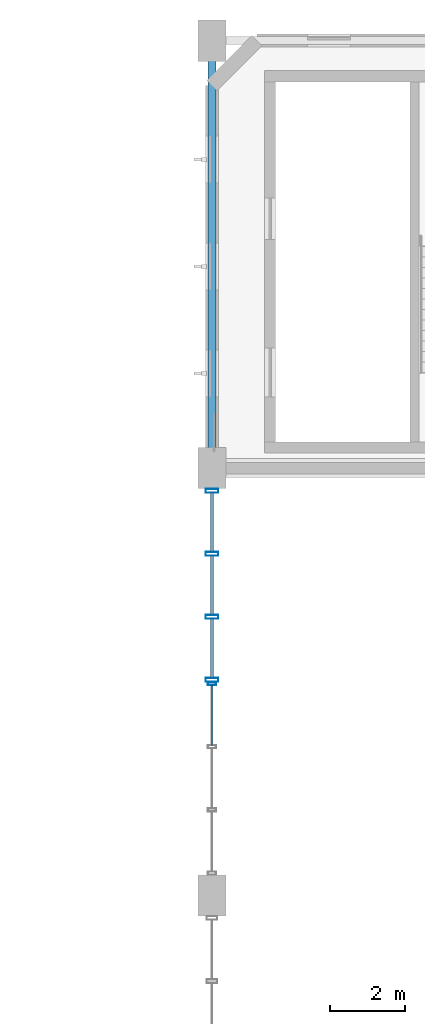
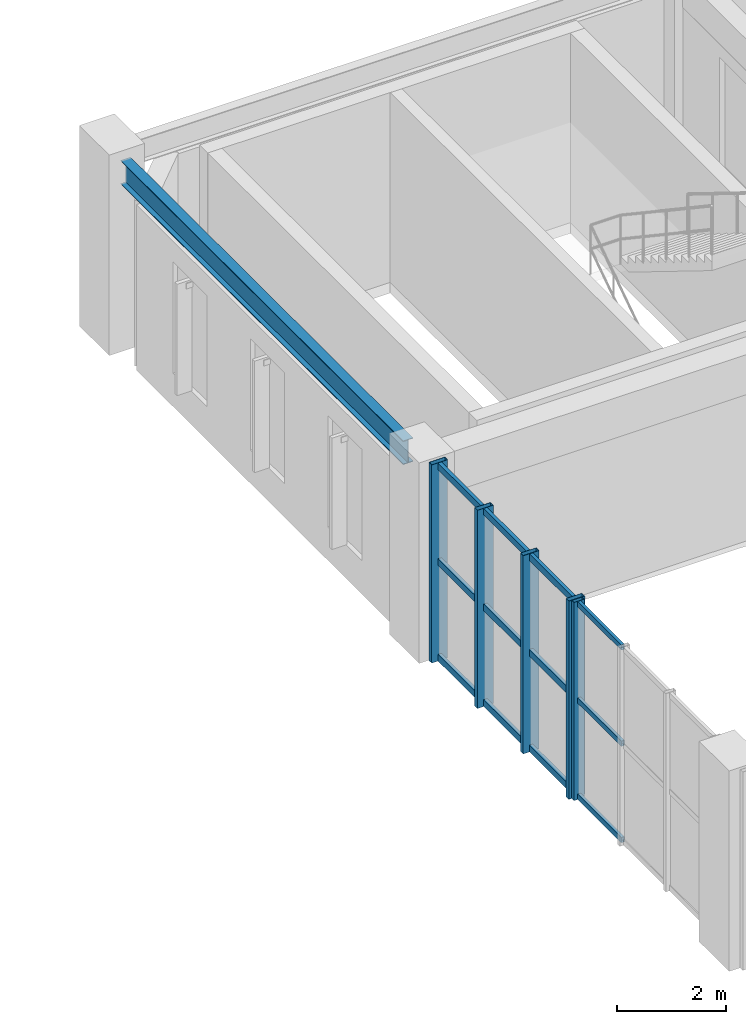
# One storey, part 39 of 80: 17 members, 1 beam, 2 elements without a shape of their own.
"""IFC4 building model written with IfcOpenShell, lengths in metres."""

import ifcopenshell
import ifcopenshell.guid

model = None  # the IFC model being written
_history = None  # IfcOwnerHistory: only IFC2X3 demands one
_inside = {}  # id of a spatial element -> (the spatial element, [elements in it])
_under = {}  # id of a project, library or spatial element -> (it, [spatial elements below it])
_declared = {}  # id of a project -> (the project, [libraries it declares])
_typed = {}  # id of a type object -> (the type object, [elements of that type])
_made_of = {}  # id of a material, layer set ... -> (it, [elements and type objects made of it])


def new_model(schema):
    """Start an empty IFC model of exactly this schema.

    Asked for "IFC4X3", IfcOpenShell would pick the latest addendum, in which some entities
    have other attributes; the version numbers below select the first issue.
    IFC2X3 requires an IfcOwnerHistory on every rooted entity: one is made here for all.
    """
    global model, _history
    if schema == "IFC4X3":
        model = ifcopenshell.file(schema_version=(4, 3, 0, 0))
    else:
        model = ifcopenshell.file(schema=schema)
    _inside.clear()
    _under.clear()
    _declared.clear()
    _typed.clear()
    _made_of.clear()
    _history = None
    if model.schema == "IFC2X3":
        org = make("IfcOrganization", Name="unknown")
        user = make(
            "IfcPersonAndOrganization",
            ThePerson=make("IfcPerson", FamilyName="unknown"),
            TheOrganization=org,
        )
        app = make(
            "IfcApplication",
            ApplicationDeveloper=org,
            Version="unknown",
            ApplicationFullName="unknown",
            ApplicationIdentifier="unknown",
        )
        _history = make(
            "IfcOwnerHistory",
            OwningUser=user,
            OwningApplication=app,
            ChangeAction="ADDED",
            CreationDate=0,
        )
    return model


def make(cls, **values):
    """One entity of the class cls with the attributes given. An attribute that is None is left unset."""
    return model.create_entity(
        cls, **{name: value for name, value in values.items() if value is not None}
    )


def rooted(cls, **values):
    """An entity with a GlobalId (a new one), such as an element, a storey or a relation."""
    return make(cls, GlobalId=ifcopenshell.guid.new(), OwnerHistory=_history, **values)


def si_unit(unit_type, name, prefix=None):
    """IfcSIUnit, for example si_unit("LENGTHUNIT", "METRE", prefix="MILLI")."""
    return make("IfcSIUnit", UnitType=unit_type, Prefix=prefix, Name=name)


def assignment(units):
    """IfcUnitAssignment: the units of a project."""
    return None if units is None else make("IfcUnitAssignment", Units=units)


def point(xyz):
    """IfcCartesianPoint."""
    return None if xyz is None else make("IfcCartesianPoint", Coordinates=xyz)


def direction(xyz):
    """IfcDirection."""
    return None if xyz is None else make("IfcDirection", DirectionRatios=xyz)


def frame(location, z_axis=None, x_axis=None):
    """IfcAxis2Placement3D, a coordinate frame: its origin and axes. An axis left out is left unset."""
    return make(
        "IfcAxis2Placement3D",
        Location=point(location),
        Axis=direction(z_axis),
        RefDirection=direction(x_axis),
    )


def frame_2d(location, x_axis=None):
    """IfcAxis2Placement2D, a coordinate frame in the plane: its origin and x axis."""
    return make(
        "IfcAxis2Placement2D", Location=point(location), RefDirection=direction(x_axis)
    )


def origin():
    """The frame at (0, 0, 0) with its axes left unset."""
    return frame((0.0, 0.0, 0.0))


def origin_2d():
    """The frame at (0, 0) in the plane with its x axis left unset."""
    return frame_2d((0.0, 0.0))


def place(relative_to, where):
    """IfcLocalPlacement: puts the frame where relative to a parent placement (None: the world)."""
    return make(
        "IfcLocalPlacement", PlacementRelTo=relative_to, RelativePlacement=where
    )


def context(
    kind, dimensions, precision=None, world=None, true_north=None, identifier=None
):
    """IfcGeometricRepresentationContext, for example the 3D "Model" context."""
    return make(
        "IfcGeometricRepresentationContext",
        ContextIdentifier=identifier,
        ContextType=kind,
        CoordinateSpaceDimension=dimensions,
        Precision=precision,
        WorldCoordinateSystem=world,
        TrueNorth=true_north,
    )


def subcontext(parent, identifier, kind, view, scale=None):
    """IfcGeometricRepresentationSubContext, for example "Body" below "Model"."""
    return make(
        "IfcGeometricRepresentationSubContext",
        ContextIdentifier=identifier,
        ContextType=kind,
        ParentContext=parent,
        TargetScale=scale,
        TargetView=view,
    )


def project(units=None, contexts=None):
    """IfcProject with its units and contexts."""
    return rooted(
        "IfcProject",
        Name="project",
        RepresentationContexts=contexts,
        UnitsInContext=assignment(units),
    )


def spatial(cls, under=None, at=None, **own):
    """A site, building, storey or space (cls), placed at a placement, below another one or the project."""
    s = rooted(cls, ObjectPlacement=at, **own)
    if under is not None:
        _under.setdefault(under.id(), (under, []))[1].append(s)
    return s


def profile(cls, at=None, kind="AREA", **sizes):
    """A parametric profile (cls). Its sizes go by their IFC names, for example OverallWidth=200.0."""
    return make(cls, ProfileType=kind, Position=at, **sizes)


def hollow_rectangle(**sizes):
    """IfcRectangleHollowProfileDef."""
    return profile("IfcRectangleHollowProfileDef", **sizes)


def i_section(**sizes):
    """IfcIShapeProfileDef."""
    return profile("IfcIShapeProfileDef", **sizes)


def extrude(swept, where, along, depth):
    """IfcExtrudedAreaSolid: the profile swept, set in the frame where, extruded along a direction by depth."""
    return make(
        "IfcExtrudedAreaSolid",
        SweptArea=swept,
        Position=where,
        ExtrudedDirection=direction(along),
        Depth=depth,
    )


def shape(context_of_items, identifier, shape_type, items):
    """IfcShapeRepresentation: the items that make up one representation, for example the "Body"."""
    return make(
        "IfcShapeRepresentation",
        ContextOfItems=context_of_items,
        RepresentationIdentifier=identifier,
        RepresentationType=shape_type,
        Items=items,
    )


def material(Name=None, Category=None):
    """IfcMaterial."""
    return make("IfcMaterial", Name=Name, Category=Category)


def layer(
    of_material, thickness, ventilated=None, Name=None, Category=None, Priority=None
):
    """IfcMaterialLayer: one layer of a wall or slab, of a material (None: an air gap)."""
    return make(
        "IfcMaterialLayer",
        Material=of_material,
        LayerThickness=thickness,
        IsVentilated=ventilated,
        Name=Name,
        Category=Category,
        Priority=Priority,
    )


def layer_set(layers, Name=None):
    """IfcMaterialLayerSet."""
    return make("IfcMaterialLayerSet", MaterialLayers=layers, LayerSetName=Name)


def material_profile(
    of_material, cross_section, Name=None, Category=None, Priority=None
):
    """IfcMaterialProfile: a cross section and its material."""
    return make(
        "IfcMaterialProfile",
        Name=Name,
        Material=of_material,
        Profile=cross_section,
        Priority=Priority,
        Category=Category,
    )


def profile_set(profiles, Name=None, composite=None):
    """IfcMaterialProfileSet."""
    return make(
        "IfcMaterialProfileSet",
        Name=Name,
        MaterialProfiles=profiles,
        CompositeProfile=composite,
    )


def made_of(thing, what):
    """Note that an element or type object is made of a material, layer set ...; save() writes the relation."""
    if what is not None:
        _made_of.setdefault(what.id(), (what, []))[1].append(thing)
    return thing


def type_object(cls, material=None, **own):
    """A type object (cls), such as IfcWallType, which elements share."""
    return made_of(rooted(cls, **own), material)


def element(
    cls,
    number,
    at=None,
    inside=None,
    cuts=None,
    type_object=None,
    material=None,
    context=None,
    identifier="Body",
    shape_type=None,
    held_by="IfcProductDefinitionShape",
    body=None,
    shapes=None,
    **own,
):
    """One element of the class cls, such as IfcWall. Its Tag is "e" and its number.

    at: its placement. inside: the storey or other place that contains it. cuts: it is an
    opening in that element (IfcRelVoidsElement). A single representation is given by context,
    identifier, shape_type and body (its items); several are given by shapes. held_by: the class
    of the entity that holds the representations. save() writes the other relations.
    """
    e = rooted(cls, Tag="e%d" % number, ObjectPlacement=at, **own)
    if body is not None:
        shapes = [shape(context, identifier, shape_type, body)]
    if shapes is not None:
        e.Representation = make(held_by, Representations=shapes)
    if inside is not None:
        _inside.setdefault(inside.id(), (inside, []))[1].append(e)
    if cuts is not None:
        rooted(
            "IfcRelVoidsElement", RelatingBuildingElement=cuts, RelatedOpeningElement=e
        )
    if type_object is not None:
        _typed.setdefault(type_object.id(), (type_object, []))[1].append(e)
    return made_of(e, material)


def aggregate(whole, parts):
    """IfcRelAggregates: a whole, such as a stair, and the parts it consists of."""
    return rooted("IfcRelAggregates", RelatingObject=whole, RelatedObjects=parts)


def save(model, path):
    """Write the relations noted so far, then the file.

    IfcRelAggregates (storeys below a building ...), IfcRelContainedInSpatialStructure (elements
    in a storey), IfcRelDefinesByType, IfcRelAssociatesMaterial and IfcRelDeclares: one each for
    every whole, place, type object, material and project.
    """
    for whole, parts in _under.values():
        aggregate(whole, parts)
    for where, things in _inside.values():
        rooted(
            "IfcRelContainedInSpatialStructure",
            RelatedElements=things,
            RelatingStructure=where,
        )
    for kind, things in _typed.values():
        rooted("IfcRelDefinesByType", RelatedObjects=things, RelatingType=kind)
    for what, things in _made_of.values():
        rooted("IfcRelAssociatesMaterial", RelatedObjects=things, RelatingMaterial=what)
    for by, libraries in _declared.values():
        rooted("IfcRelDeclares", RelatingContext=by, RelatedDefinitions=libraries)
    model.write(path)


model = new_model("IFC4")

# Units and contexts
model_context = context("Model", 3, precision=1e-05, world=origin(), true_north=direction((0.0, 1.0)))
body_context = subcontext(model_context, "Body", "Model", "MODEL_VIEW")
ifc_project = project(units=[si_unit("LENGTHUNIT", "METRE"), si_unit("AREAUNIT", "SQUARE_METRE"), si_unit("VOLUMEUNIT", "CUBIC_METRE"), si_unit("PLANEANGLEUNIT", "RADIAN"), si_unit("MASSUNIT", "GRAM", prefix="KILO"), si_unit("POWERUNIT", "WATT"), si_unit("THERMODYNAMICTEMPERATUREUNIT", "KELVIN")], contexts=[model_context])

# Site, building, storey
site_placement = place(None, origin())
site = spatial("IfcSite", under=ifc_project, at=site_placement, CompositionType="ELEMENT")
building_placement = place(site_placement, origin())
building = spatial("IfcBuilding", under=site, at=building_placement, Name="Kelmbourne Parkland Aquatics Centre", CompositionType="ELEMENT")
storey_placement = place(building_placement, frame((0.0, 0.0, 10.199951171875)))
storey = spatial("IfcBuildingStorey", under=building, at=storey_placement, Name="L02", CompositionType="ELEMENT", Elevation=10.199951171875)

# Beam
ifc_material_1 = material(Name="Structural steel AS/NZS 3679.1 Grade 300", Category="steel")
ifc_material_profile_1 = material_profile(ifc_material_1, i_section(OverallWidth=0.208984375, OverallDepth=0.532958984375, WebThickness=0.01025390625, FlangeThickness=0.015625, at=origin_2d()), Name="530UB92.4")
ifc_profile_set_1 = profile_set([ifc_material_profile_1], Name="Structural steel AS/NZS 3679.1 Grade 300")
beam_type = type_object("IfcBeamType", Name="BM-SP02", PredefinedType="SPANDREL", material=ifc_profile_set_1)
beam_placement = place(storey_placement, frame((128.0, 103.905029296875, 3.99365234375), z_axis=(0.0, 1.0, 0.0), x_axis=(-1.0, 0.0, 0.0)))
element("IfcBeam", 1, at=beam_placement, inside=storey, type_object=beam_type, Name="Perimeter spandrel 13-14 Grid P (L03)", PredefinedType="SPANDREL", context=body_context, shape_type="SweptSolid", body=[
    extrude(i_section(OverallWidth=0.208984375, OverallDepth=0.532958984375, WebThickness=0.01025390625, FlangeThickness=0.015625, at=origin_2d()), origin(), (0.0, 0.0, 1.0), 10.389892578125),
])

# Curtain wall, member
ifc_material_2 = material(Name="Thermally broken anodised aluminium framing", Category="aluminium")
ifc_layer_1 = layer(ifc_material_2, 0.179931640625)
ifc_layer_set_1 = layer_set([ifc_layer_1], Name="Thermally broken anodised aluminium framing")
curtain_wall_type_1 = type_object("IfcCurtainWallType", Name="CW-15", PredefinedType="NOTDEFINED", material=ifc_layer_set_1)
curtain_wall_1_placement = place(storey_placement, origin())
curtain_wall_1 = element("IfcCurtainWall", 2, at=curtain_wall_1_placement, inside=storey, type_object=curtain_wall_type_1, Name="Wave-hall clerestory curtain wall CW-L02-087", PredefinedType="NOTDEFINED")
ifc_material_profile_2 = material_profile(ifc_material_2, hollow_rectangle(XDim=0.0849609375, YDim=0.219970703125, WallThickness=0.0048828125, at=origin_2d()), Name="CW-M 85x220")
ifc_profile_set_2 = profile_set([ifc_material_profile_2], Name="Thermally broken anodised aluminium framing")
member_type_1 = type_object("IfcMemberType", Name="MB-MUL-3", PredefinedType="MULLION", material=ifc_profile_set_2)
member_1_placement = place(storey_placement, frame((128.0, 97.657470703125, 0.0), z_axis=(0.0, 0.0, 1.0), x_axis=(0.0, 1.0, 0.0)))
member_1 = element("IfcMember", 3, at=member_1_placement, type_object=member_type_1, Name="CW-L02-087 mullion 3", PredefinedType="MULLION", context=body_context, shape_type="SweptSolid", body=[
    extrude(hollow_rectangle(XDim=0.0849609375, YDim=0.219970703125, WallThickness=0.0048828125, at=origin_2d()), origin(), (0.0, 0.0, 1.0), 4.449951171875),
])

# Curtain wall, members
ifc_layer_2 = layer(ifc_material_2, 0.179931640625)
ifc_layer_set_2 = layer_set([ifc_layer_2], Name="Thermally broken anodised aluminium framing")
curtain_wall_type_2 = type_object("IfcCurtainWallType", Name="CW-22", PredefinedType="NOTDEFINED", material=ifc_layer_set_2)
curtain_wall_2_placement = place(storey_placement, origin())
curtain_wall_2 = element("IfcCurtainWall", 4, at=curtain_wall_2_placement, inside=storey, type_object=curtain_wall_type_2, Name="Wave-hall clerestory curtain wall CW-L02-094", PredefinedType="NOTDEFINED")
ifc_material_profile_3 = material_profile(ifc_material_2, hollow_rectangle(XDim=0.10498046875, YDim=0.340087890625, WallThickness=0.006103515625, at=origin_2d()), Name="CW-M 105x340")
ifc_profile_set_3 = profile_set([ifc_material_profile_3], Name="Thermally broken anodised aluminium framing")
member_type_2 = type_object("IfcMemberType", Name="MB-MUL-5", PredefinedType="MULLION", material=ifc_profile_set_3)
member_2_placement = place(storey_placement, frame((128.0, 97.75244140625, 0.0), z_axis=(0.0, 0.0, 1.0), x_axis=(0.0, 1.0, 0.0)))
member_2 = element("IfcMember", 5, at=member_2_placement, type_object=member_type_2, Name="CW-L02-094 mullion 0", PredefinedType="MULLION", context=body_context, shape_type="SweptSolid", body=[
    extrude(hollow_rectangle(XDim=0.10498046875, YDim=0.340087890625, WallThickness=0.006103515625, at=origin_2d()), origin(), (0.0, 0.0, 1.0), 4.449951171875),
])
member_3_placement = place(storey_placement, frame((128.0, 99.43359375, 0.0), z_axis=(0.0, 0.0, 1.0), x_axis=(0.0, 1.0, 0.0)))
member_3 = element("IfcMember", 6, at=member_3_placement, type_object=member_type_2, Name="CW-L02-094 mullion 1", PredefinedType="MULLION", context=body_context, shape_type="SweptSolid", body=[
    extrude(hollow_rectangle(XDim=0.10498046875, YDim=0.340087890625, WallThickness=0.006103515625, at=origin_2d()), origin(), (0.0, 0.0, 1.0), 4.449951171875),
])
member_4_placement = place(storey_placement, frame((128.0, 101.114501953125, 0.0), z_axis=(0.0, 0.0, 1.0), x_axis=(0.0, 1.0, 0.0)))
member_4 = element("IfcMember", 7, at=member_4_placement, type_object=member_type_2, Name="CW-L02-094 mullion 2", PredefinedType="MULLION", context=body_context, shape_type="SweptSolid", body=[
    extrude(hollow_rectangle(XDim=0.10498046875, YDim=0.340087890625, WallThickness=0.006103515625, at=origin_2d()), origin(), (0.0, 0.0, 1.0), 4.449951171875),
])
member_5_placement = place(storey_placement, frame((128.0, 102.79541015625, 0.0), z_axis=(0.0, 0.0, 1.0), x_axis=(0.0, 1.0, 0.0)))
member_5 = element("IfcMember", 8, at=member_5_placement, type_object=member_type_2, Name="CW-L02-094 mullion 3", PredefinedType="MULLION", context=body_context, shape_type="SweptSolid", body=[
    extrude(hollow_rectangle(XDim=0.10498046875, YDim=0.340087890625, WallThickness=0.006103515625, at=origin_2d()), origin(), (0.0, 0.0, 1.0), 4.449951171875),
])

# Member
ifc_material_profile_4 = material_profile(ifc_material_2, hollow_rectangle(XDim=0.06494140625, YDim=0.1201171875, WallThickness=0.00341796875, at=origin_2d()), Name="CW-T 65x120")
ifc_profile_set_4 = profile_set([ifc_material_profile_4], Name="Thermally broken anodised aluminium framing")
member_type_3 = type_object("IfcMemberType", Name="MB-TRN-1", PredefinedType="USERDEFINED", material=ifc_profile_set_4)
member_6_placement = place(storey_placement, frame((128.0, 96.00830078125, 0.06298828125), z_axis=(0.0, 1.0, 0.0), x_axis=(-1.0, 0.0, 0.0)))
member_6 = element("IfcMember", 9, at=member_6_placement, type_object=member_type_3, Name="CW-L02-087 transom 0-2", ObjectType="TRANSOM", PredefinedType="USERDEFINED", context=body_context, shape_type="SweptSolid", body=[
    extrude(hollow_rectangle(XDim=0.06494140625, YDim=0.1201171875, WallThickness=0.00341796875, at=origin_2d()), origin(), (0.0, 0.0, 1.0), 1.610595703125),
])

member_7_placement = place(storey_placement, frame((128.0, 96.00830078125, 2.22509765625), z_axis=(0.0, 1.0, 0.0), x_axis=(-1.0, 0.0, 0.0)))
member_7 = element("IfcMember", 10, at=member_7_placement, type_object=member_type_3, Name="CW-L02-087 transom 1-2", ObjectType="TRANSOM", PredefinedType="USERDEFINED", context=body_context, shape_type="SweptSolid", body=[
    extrude(hollow_rectangle(XDim=0.06494140625, YDim=0.1201171875, WallThickness=0.00341796875, at=origin_2d()), origin(), (0.0, 0.0, 1.0), 1.610595703125),
])

member_8_placement = place(storey_placement, frame((128.0, 96.00830078125, 4.386962890625), z_axis=(0.0, 1.0, 0.0), x_axis=(-1.0, 0.0, 0.0)))
member_8 = element("IfcMember", 11, at=member_8_placement, type_object=member_type_3, Name="CW-L02-087 transom 2-2", ObjectType="TRANSOM", PredefinedType="USERDEFINED", context=body_context, shape_type="SweptSolid", body=[
    extrude(hollow_rectangle(XDim=0.06494140625, YDim=0.1201171875, WallThickness=0.00341796875, at=origin_2d()), origin(), (0.0, 0.0, 1.0), 1.610595703125),
])

aggregate(curtain_wall_1, [member_1, member_6, member_7, member_8])

ifc_material_profile_5 = material_profile(ifc_material_2, hollow_rectangle(XDim=0.074951171875, YDim=0.14990234375, WallThickness=0.00390625, at=origin_2d()), Name="CW-T 75x150")
ifc_profile_set_5 = profile_set([ifc_material_profile_5], Name="Thermally broken anodised aluminium framing")
member_type_4 = type_object("IfcMemberType", Name="MB-TRN-2", PredefinedType="USERDEFINED", material=ifc_profile_set_5)
member_9_placement = place(storey_placement, frame((128.0, 97.801025390625, 0.078125), z_axis=(0.0, 1.0, 0.0), x_axis=(-1.0, 0.0, 0.0)))
member_9 = element("IfcMember", 12, at=member_9_placement, type_object=member_type_4, Name="CW-L02-094 transom 0-0", ObjectType="TRANSOM", PredefinedType="USERDEFINED", context=body_context, shape_type="SweptSolid", body=[
    extrude(hollow_rectangle(XDim=0.074951171875, YDim=0.14990234375, WallThickness=0.00390625, at=origin_2d()), origin(), (0.0, 0.0, 1.0), 1.583984375),
])

member_10_placement = place(storey_placement, frame((128.0, 99.48193359375, 0.078125), z_axis=(0.0, 1.0, 0.0), x_axis=(-1.0, 0.0, 0.0)))
member_10 = element("IfcMember", 13, at=member_10_placement, type_object=member_type_4, Name="CW-L02-094 transom 0-1", ObjectType="TRANSOM", PredefinedType="USERDEFINED", context=body_context, shape_type="SweptSolid", body=[
    extrude(hollow_rectangle(XDim=0.074951171875, YDim=0.14990234375, WallThickness=0.00390625, at=origin_2d()), origin(), (0.0, 0.0, 1.0), 1.583984375),
])

member_11_placement = place(storey_placement, frame((128.0, 101.1630859375, 0.078125), z_axis=(0.0, 1.0, 0.0), x_axis=(-1.0, 0.0, 0.0)))
member_11 = element("IfcMember", 14, at=member_11_placement, type_object=member_type_4, Name="CW-L02-094 transom 0-2", ObjectType="TRANSOM", PredefinedType="USERDEFINED", context=body_context, shape_type="SweptSolid", body=[
    extrude(hollow_rectangle(XDim=0.074951171875, YDim=0.14990234375, WallThickness=0.00390625, at=origin_2d()), origin(), (0.0, 0.0, 1.0), 1.583984375),
])

member_12_placement = place(storey_placement, frame((128.0, 97.801025390625, 2.22509765625), z_axis=(0.0, 1.0, 0.0), x_axis=(-1.0, 0.0, 0.0)))
member_12 = element("IfcMember", 15, at=member_12_placement, type_object=member_type_4, Name="CW-L02-094 transom 1-0", ObjectType="TRANSOM", PredefinedType="USERDEFINED", context=body_context, shape_type="SweptSolid", body=[
    extrude(hollow_rectangle(XDim=0.074951171875, YDim=0.14990234375, WallThickness=0.00390625, at=origin_2d()), origin(), (0.0, 0.0, 1.0), 1.583984375),
])

member_13_placement = place(storey_placement, frame((128.0, 99.48193359375, 2.22509765625), z_axis=(0.0, 1.0, 0.0), x_axis=(-1.0, 0.0, 0.0)))
member_13 = element("IfcMember", 16, at=member_13_placement, type_object=member_type_4, Name="CW-L02-094 transom 1-1", ObjectType="TRANSOM", PredefinedType="USERDEFINED", context=body_context, shape_type="SweptSolid", body=[
    extrude(hollow_rectangle(XDim=0.074951171875, YDim=0.14990234375, WallThickness=0.00390625, at=origin_2d()), origin(), (0.0, 0.0, 1.0), 1.583984375),
])

member_14_placement = place(storey_placement, frame((128.0, 101.1630859375, 2.22509765625), z_axis=(0.0, 1.0, 0.0), x_axis=(-1.0, 0.0, 0.0)))
member_14 = element("IfcMember", 17, at=member_14_placement, type_object=member_type_4, Name="CW-L02-094 transom 1-2", ObjectType="TRANSOM", PredefinedType="USERDEFINED", context=body_context, shape_type="SweptSolid", body=[
    extrude(hollow_rectangle(XDim=0.074951171875, YDim=0.14990234375, WallThickness=0.00390625, at=origin_2d()), origin(), (0.0, 0.0, 1.0), 1.583984375),
])

member_15_placement = place(storey_placement, frame((128.0, 97.801025390625, 4.3720703125), z_axis=(0.0, 1.0, 0.0), x_axis=(-1.0, 0.0, 0.0)))
member_15 = element("IfcMember", 18, at=member_15_placement, type_object=member_type_4, Name="CW-L02-094 transom 2-0", ObjectType="TRANSOM", PredefinedType="USERDEFINED", context=body_context, shape_type="SweptSolid", body=[
    extrude(hollow_rectangle(XDim=0.074951171875, YDim=0.14990234375, WallThickness=0.00390625, at=origin_2d()), origin(), (0.0, 0.0, 1.0), 1.583984375),
])

member_16_placement = place(storey_placement, frame((128.0, 99.48193359375, 4.3720703125), z_axis=(0.0, 1.0, 0.0), x_axis=(-1.0, 0.0, 0.0)))
member_16 = element("IfcMember", 19, at=member_16_placement, type_object=member_type_4, Name="CW-L02-094 transom 2-1", ObjectType="TRANSOM", PredefinedType="USERDEFINED", context=body_context, shape_type="SweptSolid", body=[
    extrude(hollow_rectangle(XDim=0.074951171875, YDim=0.14990234375, WallThickness=0.00390625, at=origin_2d()), origin(), (0.0, 0.0, 1.0), 1.583984375),
])

member_17_placement = place(storey_placement, frame((128.0, 101.1630859375, 4.3720703125), z_axis=(0.0, 1.0, 0.0), x_axis=(-1.0, 0.0, 0.0)))
member_17 = element("IfcMember", 20, at=member_17_placement, type_object=member_type_4, Name="CW-L02-094 transom 2-2", ObjectType="TRANSOM", PredefinedType="USERDEFINED", context=body_context, shape_type="SweptSolid", body=[
    extrude(hollow_rectangle(XDim=0.074951171875, YDim=0.14990234375, WallThickness=0.00390625, at=origin_2d()), origin(), (0.0, 0.0, 1.0), 1.583984375),
])

aggregate(curtain_wall_2, [member_2, member_3, member_4, member_5, member_9, member_10, member_11, member_12, member_13, member_14, member_15, member_16, member_17])

save(model, "model.ifc")
